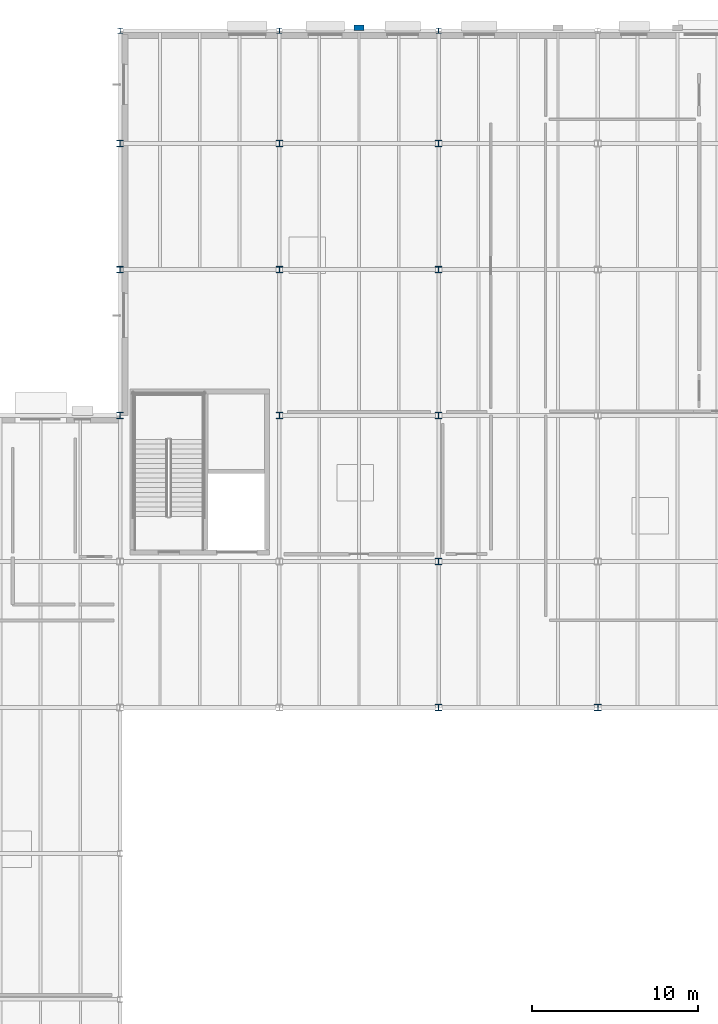
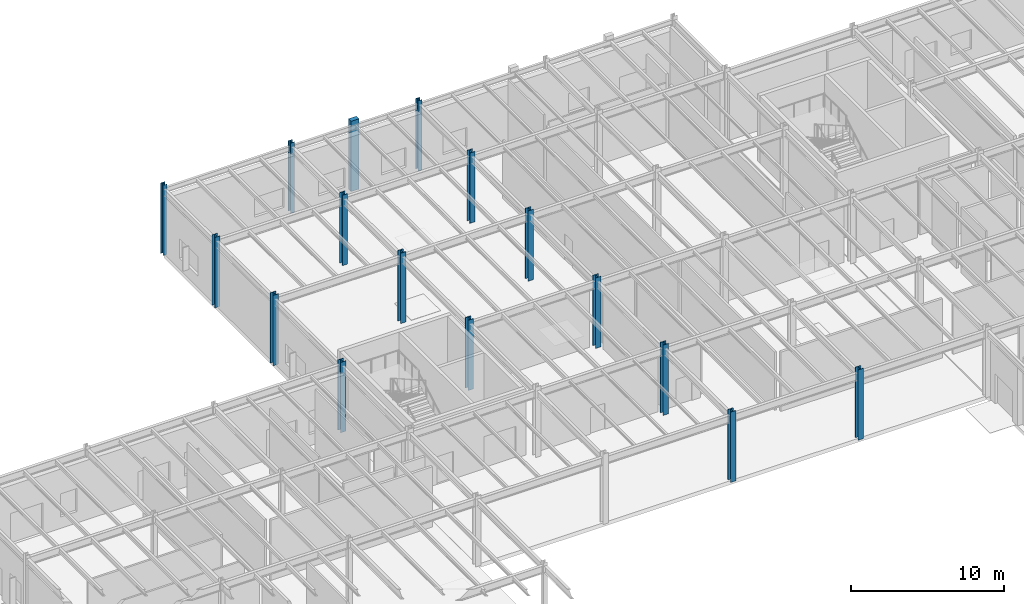
# One storey, part 11 of 70: 16 columns.
"""IFC4 building model written with IfcOpenShell, lengths in metres."""

from ifc_helpers import new_model, si_unit, direction, frame, origin, origin_2d, place, context, subcontext, project, spatial, rectangle, i_section, extrude, material, material_profile, profile_set, type_object, element, save


model = new_model("IFC4")

# Units and contexts
model_context = context("Model", 3, precision=1e-05, world=origin(), true_north=direction((0.0, 1.0)))
body_context = subcontext(model_context, "Body", "Model", "MODEL_VIEW")
ifc_project = project(units=[si_unit("LENGTHUNIT", "METRE"), si_unit("AREAUNIT", "SQUARE_METRE"), si_unit("VOLUMEUNIT", "CUBIC_METRE"), si_unit("PLANEANGLEUNIT", "RADIAN"), si_unit("MASSUNIT", "GRAM", prefix="KILO")], contexts=[model_context])

# Site, building, storey
site_placement = place(None, origin())
site = spatial("IfcSite", under=ifc_project, at=site_placement, CompositionType="ELEMENT")
building_placement = place(site_placement, origin())
building = spatial("IfcBuilding", under=site, at=building_placement, Name="Sarnbrook Museum", CompositionType="ELEMENT")
storey_placement = place(building_placement, origin())
storey = spatial("IfcBuildingStorey", under=building, at=storey_placement, Name="L00", CompositionType="ELEMENT", Elevation=0.0)

# Columns
ifc_material_1 = material(Name="Structural Steel Grade 300PLUS (AS/NZS 3679.1, fy = 280 MPa for 17 < t <= 40 mm, 300 MPa for t <= 17 mm)", Category="steel")
ifc_material_profile_1 = material_profile(ifc_material_1, i_section(OverallWidth=0.31103515625, OverallDepth=0.326904296875, WebThickness=0.015625, FlangeThickness=0.02490234375, FilletRadius=0.0166015625, at=origin_2d()), Name="310UC158")
ifc_profile_set_1 = profile_set([ifc_material_profile_1], Name="Structural Steel Grade 300PLUS (AS/NZS 3679.1, fy = 280 MPa for 17 < t <= 40 mm, 300 MPa for t <= 17 mm)")
column_type_1 = type_object("IfcColumnType", Name="COL-UC310H", PredefinedType="COLUMN", material=ifc_profile_set_1)
for number, where, z_axis, x_axis, name in (
    (1, (42.39990234375, 115.199951171875, 0.0), (0.0, 0.0, 1.0), (1.0, 0.0, 0.0), "Column 5-P L00"),
    (2, (52.0, 115.199951171875, 0.0), (0.0, 0.0, 1.0), (1.0, 0.0, 0.0), "Column 6-P L00"),
    (3, (61.60009765625, 115.199951171875, 0.0), (0.0, 0.0, 1.0), (1.0, 0.0, 0.0), "Column 7-P L00"),
):
    element("IfcColumn", number, at=place(storey_placement, frame(where, z_axis=z_axis, x_axis=x_axis)), inside=storey, type_object=column_type_1, Name=name, PredefinedType="COLUMN", context=body_context, shape_type="SweptSolid", body=[
        extrude(i_section(OverallWidth=0.31103515625, OverallDepth=0.326904296875, WebThickness=0.015625, FlangeThickness=0.02490234375, FilletRadius=0.0166015625, at=origin_2d()), origin(), (0.0, 0.0, 1.0), 5.60009765625),
    ])
ifc_material_2 = material(Name="Structural Steel Grade 350L0 (AS/NZS 3678, fy = 340 MPa for 20 < t <= 40 mm)", Category="steel")
ifc_material_profile_2 = material_profile(ifc_material_2, i_section(OverallWidth=0.39990234375, OverallDepth=0.382080078125, WebThickness=0.02490234375, FlangeThickness=0.035888671875, at=origin_2d()), Name="400WC270")
ifc_profile_set_2 = profile_set([ifc_material_profile_2], Name="Structural Steel Grade 350L0 (AS/NZS 3678, fy = 340 MPa for 20 < t <= 40 mm)")
column_type_2 = type_object("IfcColumnType", Name="COL-WC400", PredefinedType="COLUMN", material=ifc_profile_set_2)
for number, where, z_axis, x_axis, name in (
    (4, (42.39990234375, 92.0, 0.0), (0.0, 0.0, 1.0), (1.0, 0.0, 0.0), "Column 5-L L00"),
    (5, (42.39990234375, 100.800048828125, 0.0), (0.0, 0.0, 1.0), (1.0, 0.0, 0.0), "Column 5-M L00"),
    (6, (42.39990234375, 108.39990234375, 0.0), (0.0, 0.0, 1.0), (1.0, 0.0, 0.0), "Column 5-N L00"),
    (7, (52.0, 92.0, 0.0), (0.0, 0.0, 1.0), (1.0, 0.0, 0.0), "Column 6-L L00"),
    (8, (52.0, 100.800048828125, 0.0), (0.0, 0.0, 1.0), (1.0, 0.0, 0.0), "Column 6-M L00"),
    (9, (52.0, 108.39990234375, 0.0), (0.0, 0.0, 1.0), (1.0, 0.0, 0.0), "Column 6-N L00"),
    (10, (61.60009765625, 74.39990234375, 0.0), (0.0, 0.0, 1.0), (1.0, 0.0, 0.0), "Column 7-J L00"),
    (11, (61.60009765625, 83.199951171875, 0.0), (0.0, 0.0, 1.0), (1.0, 0.0, 0.0), "Column 7-K L00"),
    (12, (61.60009765625, 92.0, 0.0), (0.0, 0.0, 1.0), (1.0, 0.0, 0.0), "Column 7-L L00"),
    (13, (61.60009765625, 100.800048828125, 0.0), (0.0, 0.0, 1.0), (1.0, 0.0, 0.0), "Column 7-M L00"),
    (14, (61.60009765625, 108.39990234375, 0.0), (0.0, 0.0, 1.0), (1.0, 0.0, 0.0), "Column 7-N L00"),
    (15, (71.199951171875, 74.39990234375, 0.0), (0.0, 0.0, 1.0), (1.0, 0.0, 0.0), "Column 8-J L00"),
):
    element("IfcColumn", number, at=place(storey_placement, frame(where, z_axis=z_axis, x_axis=x_axis)), inside=storey, type_object=column_type_2, Name=name, PredefinedType="COLUMN", context=body_context, shape_type="SweptSolid", body=[
        extrude(i_section(OverallWidth=0.39990234375, OverallDepth=0.382080078125, WebThickness=0.02490234375, FlangeThickness=0.035888671875, at=origin_2d()), origin(), (0.0, 0.0, 1.0), 5.60009765625),
    ])
ifc_material_3 = material(Name="Concrete N40 (AS 3600, f'c = 40 MPa)", Category="concrete")
ifc_material_profile_3 = material_profile(ifc_material_3, rectangle(XDim=0.60009765625, YDim=0.35009765625, at=origin_2d()), Name="PILASTER 600x350")
ifc_profile_set_3 = profile_set([ifc_material_profile_3], Name="Concrete N40 (AS 3600, f'c = 40 MPa)")
column_type_3 = type_object("IfcColumnType", Name="PIL-600x350", PredefinedType="PILASTER", material=ifc_profile_set_3)
column_placement = place(storey_placement, frame((56.800048828125, 115.3798828125, 0.0), z_axis=(0.0, 0.0, 1.0), x_axis=(1.0, 0.0, 0.0)))
element("IfcColumn", 16, at=column_placement, inside=storey, type_object=column_type_3, Name="Sandstone Classical Pilaster P-N1 L00", PredefinedType="PILASTER", context=body_context, shape_type="SweptSolid", body=[
    extrude(rectangle(XDim=0.60009765625, YDim=0.35009765625, at=origin_2d()), origin(), (0.0, 0.0, 1.0), 5.60009765625),
])

save(model, "model.ifc")
